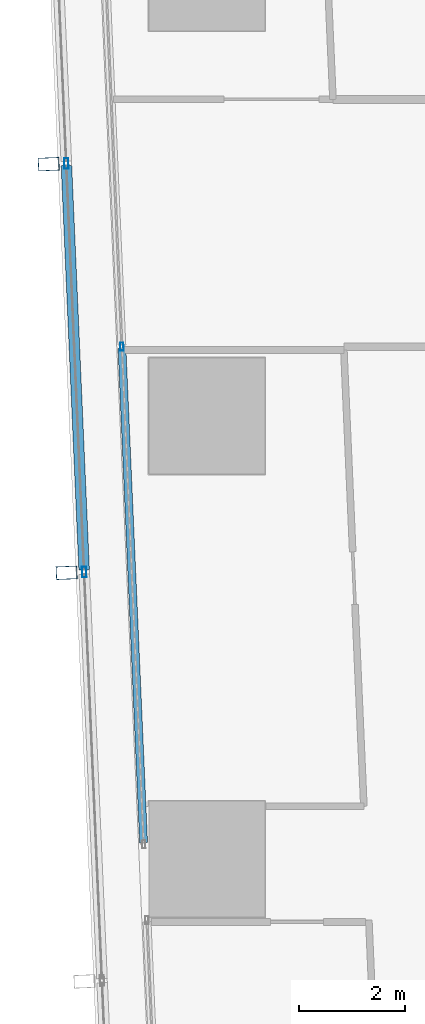
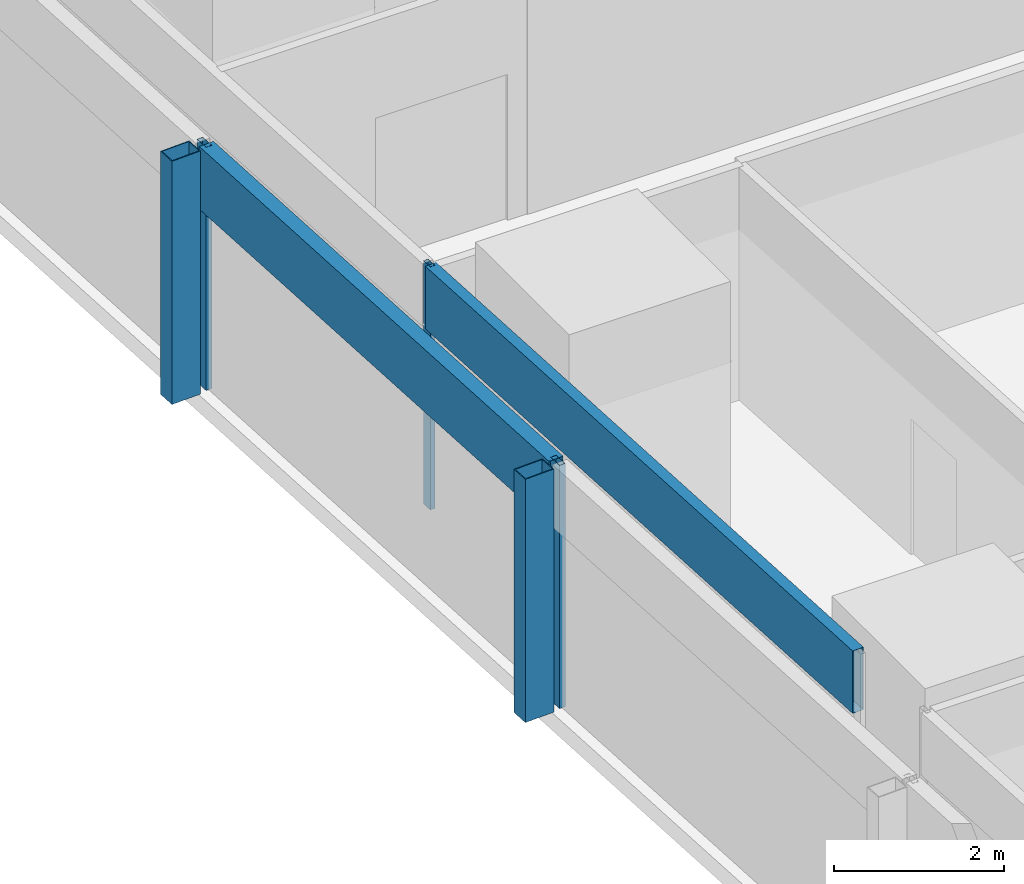
# One storey, part 7 of 42: 7 members, 2 elements without a shape of their own.
"""IFC4 building model written with IfcOpenShell, lengths in metres."""

from ifc_helpers import new_model, si_unit, direction, frame, origin, origin_2d, place, context, subcontext, project, spatial, hollow_rectangle, extrude, material, material_profile, profile_set, type_object, element, aggregate, save


model = new_model("IFC4")

# Units and contexts
model_context = context("Model", 3, precision=1e-05, world=origin(), true_north=direction((0.0, 1.0)))
body_context = subcontext(model_context, "Body", "Model", "MODEL_VIEW")
ifc_project = project(units=[si_unit("LENGTHUNIT", "METRE"), si_unit("AREAUNIT", "SQUARE_METRE"), si_unit("VOLUMEUNIT", "CUBIC_METRE"), si_unit("PLANEANGLEUNIT", "RADIAN"), si_unit("MASSUNIT", "GRAM", prefix="KILO")], contexts=[model_context])

# Site, building, storey
site_placement = place(None, origin())
site = spatial("IfcSite", under=ifc_project, at=site_placement, CompositionType="ELEMENT")
building_placement = place(site_placement, origin())
building = spatial("IfcBuilding", under=site, at=building_placement, Name="Rekha Terrace Tower", CompositionType="ELEMENT")
storey_placement = place(building_placement, frame((0.0, 0.0, 40.39990234375)))
storey = spatial("IfcBuildingStorey", under=building, at=storey_placement, Name="L09", CompositionType="ELEMENT", Elevation=40.39990234375)

# Curtain wall, members
ifc_material_1 = material(Name="Aluminium framing", Category="aluminium")
curtain_wall_type_1 = type_object("IfcCurtainWallType", Name="CW2 double skin outer glazing", PredefinedType="USERDEFINED", material=ifc_material_1)
curtain_wall_1_placement = place(storey_placement, origin())
curtain_wall_1 = element("IfcCurtainWall", 1, at=curtain_wall_1_placement, inside=storey, type_object=curtain_wall_type_1, Name="CW2 double skin outer glazing", ObjectType="DOUBLE SKIN OUTER GLAZING", PredefinedType="USERDEFINED")
ifc_material_2 = material(Name="Steel S355 with fluorocarbon finish", Category="steel")
ifc_material_profile_1 = material_profile(ifc_material_2, hollow_rectangle(XDim=0.25, YDim=0.39990234375, WallThickness=0.012451171875, at=origin_2d()), Name="RHS400x250x12.5")
ifc_profile_set_1 = profile_set([ifc_material_profile_1], Name="Steel S355 with fluorocarbon finish")
member_type_1 = type_object("IfcMemberType", Name="BL1 facade blade RHS 400 x 250", PredefinedType="USERDEFINED", material=ifc_profile_set_1)
member_1_placement = place(storey_placement, frame((5.40283203125, 29.97119140625, 0.0), z_axis=(0.0, 0.0, 1.0), x_axis=(0.04368215933, -0.999045478923, 0.0)))
member_1 = element("IfcMember", 2, at=member_1_placement, type_object=member_type_1, Name="Facade blade", ObjectType="FACADE BLADE", PredefinedType="USERDEFINED", context=body_context, shape_type="SweptSolid", body=[
    extrude(hollow_rectangle(XDim=0.25, YDim=0.39990234375, WallThickness=0.012451171875, at=origin_2d()), origin(), (0.0, 0.0, 1.0), 3.5),
])
member_2_placement = place(storey_placement, frame((5.74169921875, 22.226806640625, 0.0), z_axis=(0.0, 0.0, 1.0), x_axis=(0.04368215933, -0.999045478923, 0.0)))
member_2 = element("IfcMember", 3, at=member_2_placement, type_object=member_type_1, Name="Facade blade", ObjectType="FACADE BLADE", PredefinedType="USERDEFINED", context=body_context, shape_type="SweptSolid", body=[
    extrude(hollow_rectangle(XDim=0.25, YDim=0.39990234375, WallThickness=0.012451171875, at=origin_2d()), origin(), (0.0, 0.0, 1.0), 3.5),
])

curtain_wall_type_2 = type_object("IfcCurtainWallType", Name="CW1 double skin inner glazing", PredefinedType="USERDEFINED", material=ifc_material_1)
curtain_wall_2_placement = place(storey_placement, origin())
curtain_wall_2 = element("IfcCurtainWall", 4, at=curtain_wall_2_placement, inside=storey, type_object=curtain_wall_type_2, Name="CW1 double skin inner glazing", ObjectType="DOUBLE SKIN INNER GLAZING", PredefinedType="USERDEFINED")
ifc_material_3 = material(Name="Aluminium mullion section", Category="aluminium")
ifc_material_profile_2 = material_profile(ifc_material_3, hollow_rectangle(XDim=0.06494140625, YDim=0.14990234375, WallThickness=0.00390625, at=origin_2d()), Name="AL RHS 65x150")
ifc_profile_set_2 = profile_set([ifc_material_profile_2], Name="Aluminium mullion section")
member_type_2 = type_object("IfcMemberType", Name="CW1 mullion RHS 65 x 150", PredefinedType="MULLION", material=ifc_profile_set_2)
member_3_placement = place(storey_placement, frame((6.790283203125, 26.5126953125, 0.0), z_axis=(0.0, 0.0, 1.0), x_axis=(0.999045462133, 0.043682543337, 0.0)))
member_3 = element("IfcMember", 5, at=member_3_placement, type_object=member_type_2, Name="CW1 mullion 3", PredefinedType="MULLION", context=body_context, shape_type="SweptSolid", body=[
    extrude(hollow_rectangle(XDim=0.06494140625, YDim=0.14990234375, WallThickness=0.00390625, at=origin_2d()), origin(), (0.0, 0.0, 1.0), 3.5),
])
ifc_material_4 = material(Name="Insulated aluminium spandrel box", Category="aluminium")
ifc_material_profile_3 = material_profile(ifc_material_4, hollow_rectangle(XDim=0.14990234375, YDim=0.89990234375, WallThickness=0.0029296875, at=origin_2d()), Name="AL SPANDREL BOX 150x900")
ifc_profile_set_3 = profile_set([ifc_material_profile_3], Name="Insulated aluminium spandrel box")
member_type_3 = type_object("IfcMemberType", Name="CW1 spandrel transom 150 x 900", PredefinedType="USERDEFINED", material=ifc_profile_set_3)
member_4_placement = place(storey_placement, frame((6.791748046875, 26.480224609375, 3.050048828125), z_axis=(0.043688050697, -0.999045221312, 0.0), x_axis=(0.999045221312, 0.043688050697, 0.0)))
member_4 = element("IfcMember", 6, at=member_4_placement, type_object=member_type_3, Name="CW1 spandrel transom 3", ObjectType="TRANSOM", PredefinedType="USERDEFINED", context=body_context, shape_type="SweptSolid", body=[
    extrude(hollow_rectangle(XDim=0.14990234375, YDim=0.89990234375, WallThickness=0.0029296875, at=origin_2d()), origin(), (0.0, 0.0, 1.0), 9.377197265625),
])
aggregate(curtain_wall_2, [member_3, member_4])

# Member
ifc_material_profile_4 = material_profile(ifc_material_3, hollow_rectangle(XDim=0.080078125, YDim=0.199951171875, WallThickness=0.00390625, at=origin_2d()), Name="AL RHS 80x200")
ifc_profile_set_4 = profile_set([ifc_material_profile_4], Name="Aluminium mullion section")
member_type_4 = type_object("IfcMemberType", Name="CW2 mullion RHS 80 x 200", PredefinedType="MULLION", material=ifc_profile_set_4)
member_5_placement = place(storey_placement, frame((5.737548828125, 29.98583984375, 0.0), z_axis=(0.0, 0.0, 1.0), x_axis=(0.999045462131, 0.043682543372, 0.0)))
member_5 = element("IfcMember", 7, at=member_5_placement, type_object=member_type_4, Name="CW2 mullion 3", PredefinedType="MULLION", context=body_context, shape_type="SweptSolid", body=[
    extrude(hollow_rectangle(XDim=0.080078125, YDim=0.199951171875, WallThickness=0.00390625, at=origin_2d()), origin(), (0.0, 0.0, 1.0), 3.5),
])

member_6_placement = place(storey_placement, frame((6.076171875, 22.241455078125, 0.0), z_axis=(0.0, 0.0, 1.0), x_axis=(0.999045462131, 0.043682543372, 0.0)))
member_6 = element("IfcMember", 8, at=member_6_placement, type_object=member_type_4, Name="CW2 mullion 4", PredefinedType="MULLION", context=body_context, shape_type="SweptSolid", body=[
    extrude(hollow_rectangle(XDim=0.080078125, YDim=0.199951171875, WallThickness=0.00390625, at=origin_2d()), origin(), (0.0, 0.0, 1.0), 3.5),
])

ifc_material_profile_5 = material_profile(ifc_material_4, hollow_rectangle(XDim=0.199951171875, YDim=0.89990234375, WallThickness=0.0029296875, at=origin_2d()), Name="AL SPANDREL BOX 200x900")
ifc_profile_set_5 = profile_set([ifc_material_profile_5], Name="Insulated aluminium spandrel box")
member_type_5 = type_object("IfcMemberType", Name="CW2 spandrel transom 200 x 900", PredefinedType="USERDEFINED", material=ifc_profile_set_5)
member_7_placement = place(storey_placement, frame((5.7392578125, 29.94580078125, 3.050048828125), z_axis=(0.04369270591, -0.99904501773, 0.0), x_axis=(0.99904501773, 0.04369270591, 0.0)))
member_7 = element("IfcMember", 9, at=member_7_placement, type_object=member_type_5, Name="CW2 spandrel transom 3", ObjectType="TRANSOM", PredefinedType="USERDEFINED", context=body_context, shape_type="SweptSolid", body=[
    extrude(hollow_rectangle(XDim=0.199951171875, YDim=0.89990234375, WallThickness=0.0029296875, at=origin_2d()), origin(), (0.0, 0.0, 1.0), 7.671875),
])

aggregate(curtain_wall_1, [member_5, member_6, member_7, member_1, member_2])

save(model, "model.ifc")
